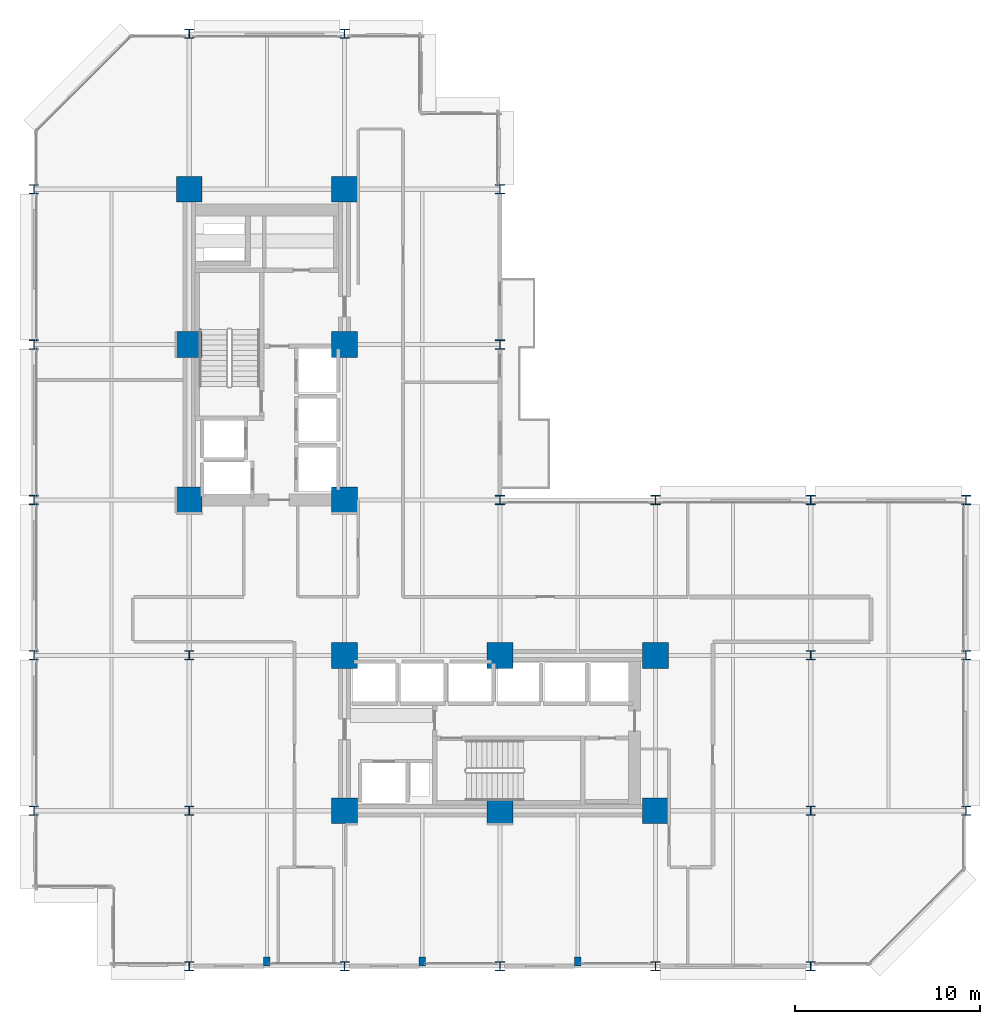
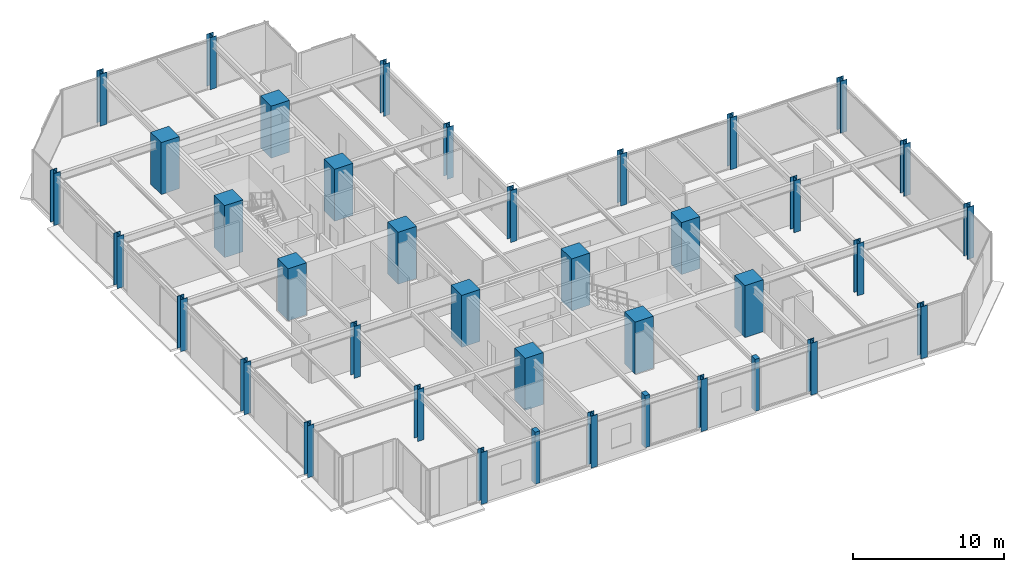
# One storey, part 1 of 25: 39 columns.
"""IFC4 building model written with IfcOpenShell, lengths in metres."""

from ifc_helpers import new_model, si_unit, direction, frame, origin, origin_2d, place, context, subcontext, project, spatial, rectangle, i_section, extrude, material, material_profile, profile_set, type_object, element, save


model = new_model("IFC4")

# Units and contexts
model_context = context("Model", 3, precision=1e-05, world=origin(), true_north=direction((0.0, 1.0)))
body_context = subcontext(model_context, "Body", "Model", "MODEL_VIEW")
ifc_project = project(units=[si_unit("LENGTHUNIT", "METRE"), si_unit("AREAUNIT", "SQUARE_METRE"), si_unit("VOLUMEUNIT", "CUBIC_METRE"), si_unit("PLANEANGLEUNIT", "RADIAN"), si_unit("MASSUNIT", "GRAM", prefix="KILO")], contexts=[model_context])

# Site, building, storey
site_placement = place(None, origin())
site = spatial("IfcSite", under=ifc_project, at=site_placement, CompositionType="ELEMENT")
building_placement = place(site_placement, origin())
building = spatial("IfcBuilding", under=site, at=building_placement, Name="Nerrivon Quay Data Exchange", CompositionType="ELEMENT")
storey_placement = place(building_placement, frame((0.0, 0.0, 24.800048828125)))
storey = spatial("IfcBuildingStorey", under=building, at=storey_placement, Name="L05", CompositionType="ELEMENT", Elevation=24.800048828125)

# Columns
ifc_material_1 = material(Name="Concrete N80 (80 MPa)", Category="concrete")
ifc_material_profile_1 = material_profile(ifc_material_1, rectangle(XDim=1.39990234375, YDim=1.39990234375, at=origin_2d()), Name="RC-COL-1400x1400")
ifc_profile_set_1 = profile_set([ifc_material_profile_1], Name="Concrete N80 (80 MPa)")
column_type_1 = type_object("IfcColumnType", Name="COL-C2-1400", PredefinedType="COLUMN", material=ifc_profile_set_1)
for number, where, z_axis, x_axis, name in (
    (1, (8.39990234375, 25.199951171875, 0.0), (0.0, 0.0, 1.0), (1.0, 0.0, 0.0), "L05 Column (8.4,25.2)"),
    (2, (8.39990234375, 33.60009765625, 0.0), (0.0, 0.0, 1.0), (1.0, 0.0, 0.0), "L05 Column (8.4,33.6)"),
    (3, (8.39990234375, 42.0, 0.0), (0.0, 0.0, 1.0), (1.0, 0.0, 0.0), "L05 Column (8.4,42.0)"),
    (4, (16.800048828125, 8.39990234375, 0.0), (0.0, 0.0, 1.0), (1.0, 0.0, 0.0), "L05 Column (16.8,8.4)"),
    (5, (16.800048828125, 16.800048828125, 0.0), (0.0, 0.0, 1.0), (1.0, 0.0, 0.0), "L05 Column (16.8,16.8)"),
    (6, (16.800048828125, 25.199951171875, 0.0), (0.0, 0.0, 1.0), (1.0, 0.0, 0.0), "L05 Column (16.8,25.2)"),
    (7, (16.800048828125, 33.60009765625, 0.0), (0.0, 0.0, 1.0), (1.0, 0.0, 0.0), "L05 Column (16.8,33.6)"),
    (8, (16.800048828125, 42.0, 0.0), (0.0, 0.0, 1.0), (1.0, 0.0, 0.0), "L05 Column (16.8,42.0)"),
    (9, (25.199951171875, 8.39990234375, 0.0), (0.0, 0.0, 1.0), (1.0, 0.0, 0.0), "L05 Column (25.2,8.4)"),
    (10, (25.199951171875, 16.800048828125, 0.0), (0.0, 0.0, 1.0), (1.0, 0.0, 0.0), "L05 Column (25.2,16.8)"),
    (11, (33.60009765625, 8.39990234375, 0.0), (0.0, 0.0, 1.0), (1.0, 0.0, 0.0), "L05 Column (33.6,8.4)"),
    (12, (33.60009765625, 16.800048828125, 0.0), (0.0, 0.0, 1.0), (1.0, 0.0, 0.0), "L05 Column (33.6,16.8)"),
):
    element("IfcColumn", number, at=place(storey_placement, frame(where, z_axis=z_axis, x_axis=x_axis)), inside=storey, type_object=column_type_1, Name=name, PredefinedType="COLUMN", context=body_context, shape_type="SweptSolid", body=[
        extrude(rectangle(XDim=1.39990234375, YDim=1.39990234375, at=origin_2d()), origin(), (0.0, 0.0, 1.0), 4.199951171875),
    ])
ifc_material_2 = material(Name="Steel Grade 350", Category="steel")
ifc_material_profile_2 = material_profile(ifc_material_2, i_section(OverallWidth=0.5, OverallDepth=0.5, WebThickness=0.028076171875, FlangeThickness=0.0400390625, at=origin_2d()), Name="500WC440")
ifc_profile_set_2 = profile_set([ifc_material_profile_2], Name="Steel Grade 350")
column_type_2 = type_object("IfcColumnType", Name="COL-SC1-500WC", PredefinedType="COLUMN", material=ifc_profile_set_2)
for number, where, z_axis, x_axis, name in (
    (13, (0.0, 8.39990234375, 0.0), (0.0, 0.0, 1.0), (1.0, 0.0, 0.0), "L05 Column (0.0,8.4)"),
    (14, (0.0, 16.800048828125, 0.0), (0.0, 0.0, 1.0), (1.0, 0.0, 0.0), "L05 Column (0.0,16.8)"),
    (15, (0.0, 25.199951171875, 0.0), (0.0, 0.0, 1.0), (1.0, 0.0, 0.0), "L05 Column (0.0,25.2)"),
    (16, (0.0, 33.60009765625, 0.0), (0.0, 0.0, 1.0), (1.0, 0.0, 0.0), "L05 Column (0.0,33.6)"),
    (17, (0.0, 42.0, 0.0), (0.0, 0.0, 1.0), (1.0, 0.0, 0.0), "L05 Column (0.0,42.0)"),
    (18, (8.39990234375, 0.0, 0.0), (0.0, 0.0, 1.0), (1.0, 0.0, 0.0), "L05 Column (8.4,0.0)"),
    (19, (8.39990234375, 8.39990234375, 0.0), (0.0, 0.0, 1.0), (1.0, 0.0, 0.0), "L05 Column (8.4,8.4)"),
    (20, (8.39990234375, 16.800048828125, 0.0), (0.0, 0.0, 1.0), (1.0, 0.0, 0.0), "L05 Column (8.4,16.8)"),
    (21, (8.39990234375, 50.39990234375, 0.0), (0.0, 0.0, 1.0), (1.0, 0.0, 0.0), "L05 Column (8.4,50.4)"),
    (22, (16.800048828125, 0.0, 0.0), (0.0, 0.0, 1.0), (1.0, 0.0, 0.0), "L05 Column (16.8,0.0)"),
    (23, (16.800048828125, 50.39990234375, 0.0), (0.0, 0.0, 1.0), (1.0, 0.0, 0.0), "L05 Column (16.8,50.4)"),
    (24, (25.199951171875, 0.0, 0.0), (0.0, 0.0, 1.0), (1.0, 0.0, 0.0), "L05 Column (25.2,0.0)"),
    (25, (25.199951171875, 25.199951171875, 0.0), (0.0, 0.0, 1.0), (1.0, 0.0, 0.0), "L05 Column (25.2,25.2)"),
    (26, (25.199951171875, 33.60009765625, 0.0), (0.0, 0.0, 1.0), (1.0, 0.0, 0.0), "L05 Column (25.2,33.6)"),
    (27, (25.199951171875, 42.0, 0.0), (0.0, 0.0, 1.0), (1.0, 0.0, 0.0), "L05 Column (25.2,42.0)"),
    (28, (33.60009765625, 0.0, 0.0), (0.0, 0.0, 1.0), (1.0, 0.0, 0.0), "L05 Column (33.6,0.0)"),
    (29, (33.60009765625, 25.199951171875, 0.0), (0.0, 0.0, 1.0), (1.0, 0.0, 0.0), "L05 Column (33.6,25.2)"),
    (30, (42.0, 0.0, 0.0), (0.0, 0.0, 1.0), (1.0, 0.0, 0.0), "L05 Column (42.0,0.0)"),
    (31, (42.0, 8.39990234375, 0.0), (0.0, 0.0, 1.0), (1.0, 0.0, 0.0), "L05 Column (42.0,8.4)"),
    (32, (42.0, 16.800048828125, 0.0), (0.0, 0.0, 1.0), (1.0, 0.0, 0.0), "L05 Column (42.0,16.8)"),
    (33, (42.0, 25.199951171875, 0.0), (0.0, 0.0, 1.0), (1.0, 0.0, 0.0), "L05 Column (42.0,25.2)"),
    (34, (50.39990234375, 8.39990234375, 0.0), (0.0, 0.0, 1.0), (1.0, 0.0, 0.0), "L05 Column (50.4,8.4)"),
    (35, (50.39990234375, 16.800048828125, 0.0), (0.0, 0.0, 1.0), (1.0, 0.0, 0.0), "L05 Column (50.4,16.8)"),
    (36, (50.39990234375, 25.199951171875, 0.0), (0.0, 0.0, 1.0), (1.0, 0.0, 0.0), "L05 Column (50.4,25.2)"),
):
    element("IfcColumn", number, at=place(storey_placement, frame(where, z_axis=z_axis, x_axis=x_axis)), inside=storey, type_object=column_type_2, Name=name, PredefinedType="COLUMN", context=body_context, shape_type="SweptSolid", body=[
        extrude(i_section(OverallWidth=0.5, OverallDepth=0.5, WebThickness=0.028076171875, FlangeThickness=0.0400390625, at=origin_2d()), origin(), (0.0, 0.0, 1.0), 4.199951171875),
    ])
ifc_material_3 = material(Name="Concrete N50 (50 MPa)", Category="concrete")
ifc_material_profile_3 = material_profile(ifc_material_3, rectangle(XDim=0.35009765625, YDim=0.5, at=origin_2d()), Name="RC-PIL-500x350")
ifc_profile_set_3 = profile_set([ifc_material_profile_3], Name="Concrete N50 (50 MPa)")
column_type_3 = type_object("IfcColumnType", Name="PIL-P2-500x350", PredefinedType="PILASTER", material=ifc_profile_set_3)
for number, where, z_axis, x_axis, name in (
    (37, (12.60009765625, 0.25, 0.0), (0.0, 0.0, 1.0), (1.0, 0.0, 0.0), "L05 Facade Pilaster (12.6)"),
    (38, (21.0, 0.25, 0.0), (0.0, 0.0, 1.0), (1.0, 0.0, 0.0), "L05 Facade Pilaster (21.0)"),
    (39, (29.39990234375, 0.25, 0.0), (0.0, 0.0, 1.0), (1.0, 0.0, 0.0), "L05 Facade Pilaster (29.4)"),
):
    element("IfcColumn", number, at=place(storey_placement, frame(where, z_axis=z_axis, x_axis=x_axis)), inside=storey, type_object=column_type_3, Name=name, PredefinedType="PILASTER", context=body_context, shape_type="SweptSolid", body=[
        extrude(rectangle(XDim=0.35009765625, YDim=0.5, at=origin_2d()), origin(), (0.0, 0.0, 1.0), 4.199951171875),
    ])

save(model, "model.ifc")
